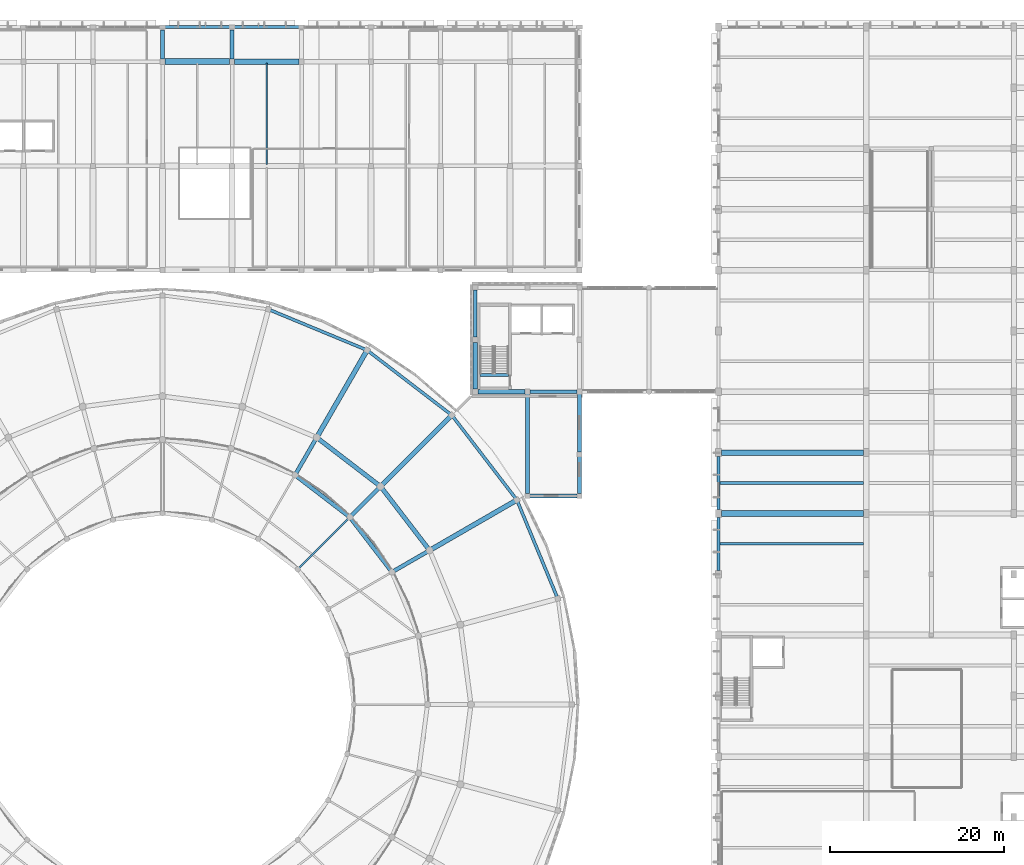
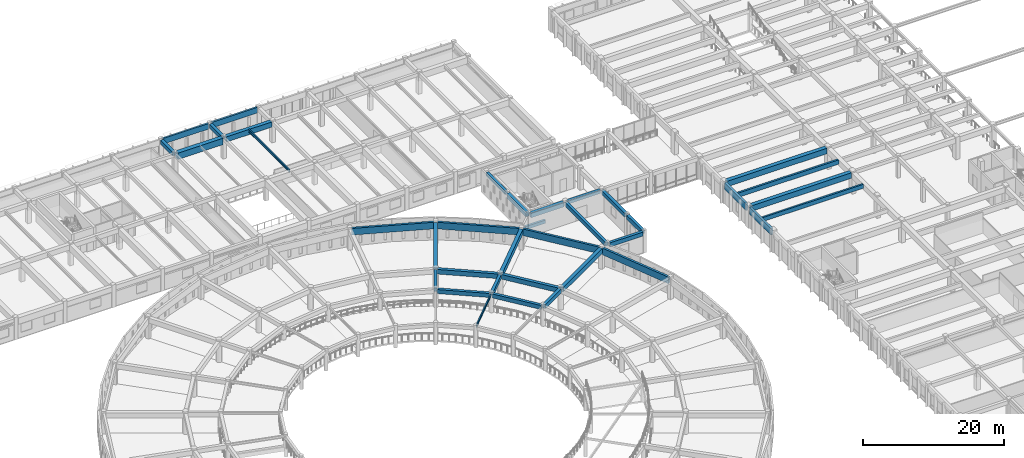
# One storey, part 19 of 98: 37 beams.
"""IFC4 building model written with IfcOpenShell, lengths in metres."""

from ifc_helpers import new_model, si_unit, direction, frame, origin, origin_2d, place, context, subcontext, project, spatial, rectangle, i_section, extrude, material, material_profile, profile_set, type_object, element, save


model = new_model("IFC4")

# Units and contexts
model_context = context("Model", 3, precision=1e-05, world=origin(), true_north=direction((0.0, 1.0)))
body_context = subcontext(model_context, "Body", "Model", "MODEL_VIEW")
ifc_project = project(units=[si_unit("LENGTHUNIT", "METRE"), si_unit("AREAUNIT", "SQUARE_METRE"), si_unit("VOLUMEUNIT", "CUBIC_METRE"), si_unit("PLANEANGLEUNIT", "RADIAN"), si_unit("MASSUNIT", "GRAM", prefix="KILO")], contexts=[model_context])

# Site, building, storey
site_placement = place(None, origin())
site = spatial("IfcSite", under=ifc_project, at=site_placement, CompositionType="ELEMENT")
building_placement = place(site_placement, origin())
building = spatial("IfcBuilding", under=site, at=building_placement, Name="Larkveld Mobility Hub", CompositionType="ELEMENT")
storey_placement = place(building_placement, frame((0.0, 0.0, 4.5)))
storey = spatial("IfcBuildingStorey", under=building, at=storey_placement, Name="L01", CompositionType="ELEMENT", Elevation=4.5)

# Beams
ifc_material_1 = material(Name="Precast concrete C50/60", Category="concrete")
ifc_material_profile_1 = material_profile(ifc_material_1, rectangle(XDim=0.300048828125, YDim=0.699951171875, at=origin_2d()), Name="PC DT 300x700")
ifc_profile_set_1 = profile_set([ifc_material_profile_1], Name="Precast concrete C50/60")
beam_type_1 = type_object("IfcBeamType", Name="BM-DT3070", PredefinedType="T_BEAM", material=ifc_profile_set_1)
beam_1_placement = place(storey_placement, frame((112.169921875, 66.5, 3.320068359375), z_axis=(1.0, 0.0, 0.0), x_axis=(0.0, 1.0, 0.0)))
element("IfcBeam", 1, at=beam_1_placement, inside=storey, type_object=beam_type_1, Name="Precast Double-Tee Stem L01-1057", PredefinedType="T_BEAM", context=body_context, shape_type="SweptSolid", body=[
    extrude(rectangle(XDim=0.300048828125, YDim=0.699951171875, at=origin_2d()), origin(), (0.0, 0.0, 1.0), 16.510009765625),
])
ifc_material_profile_2 = material_profile(ifc_material_1, rectangle(XDim=0.320068359375, YDim=0.75, at=origin_2d()), Name="PC DT 320x750")
ifc_profile_set_2 = profile_set([ifc_material_profile_2], Name="Precast concrete C50/60")
beam_type_2 = type_object("IfcBeamType", Name="BM-DT3275", PredefinedType="T_BEAM", material=ifc_profile_set_2)
beam_2_placement = place(storey_placement, frame((112.169921875, 73.5, 3.294921875), z_axis=(1.0, 0.0, 0.0), x_axis=(0.0, 1.0, 0.0)))
element("IfcBeam", 2, at=beam_2_placement, inside=storey, type_object=beam_type_2, Name="Precast Double-Tee Stem L01-1058", PredefinedType="T_BEAM", context=body_context, shape_type="SweptSolid", body=[
    extrude(rectangle(XDim=0.320068359375, YDim=0.75, at=origin_2d()), origin(), (0.0, 0.0, 1.0), 16.510009765625),
])
ifc_material_profile_3 = material_profile(ifc_material_1, rectangle(XDim=0.64990234375, YDim=0.949951171875, at=origin_2d()), Name="PC ITB 650x950")
ifc_profile_set_3 = profile_set([ifc_material_profile_3], Name="Precast concrete C50/60")
beam_type_3 = type_object("IfcBeamType", Name="BM-ITB6595", PredefinedType="T_BEAM", material=ifc_profile_set_3)
for number, where, z_axis, x_axis, name in (
    (3, (112.324951171875, 70.0, 3.18505859375), (1.0, 0.0, 0.0), (0.0, 1.0, 0.0), "Primary E-W Girder L01-0274"),
    (4, (112.324951171875, 77.0, 3.18505859375), (1.0, 0.0, 0.0), (0.0, 1.0, 0.0), "Primary E-W Girder L01-0278"),
):
    element("IfcBeam", number, at=place(storey_placement, frame(where, z_axis=z_axis, x_axis=x_axis)), inside=storey, type_object=beam_type_3, Name=name, PredefinedType="T_BEAM", context=body_context, shape_type="SweptSolid", body=[
        extrude(rectangle(XDim=0.64990234375, YDim=0.949951171875, at=origin_2d()), origin(), (0.0, 0.0, 1.0), 16.35009765625),
    ])
ifc_material_2 = material(Name="Concrete C40/50", Category="concrete")
ifc_material_profile_4 = material_profile(ifc_material_2, rectangle(XDim=0.35009765625, YDim=0.550048828125, at=origin_2d()), Name="RC BM 350x550")
ifc_profile_set_4 = profile_set([ifc_material_profile_4], Name="Concrete C40/50")
beam_type_4 = type_object("IfcBeamType", Name="BM-RC3555", PredefinedType="BEAM", material=ifc_profile_set_4)
beam_3_placement = place(storey_placement, frame((84.530029296875, 85.93994140625, -0.27001953125), z_axis=(1.0, 0.0, 0.0), x_axis=(0.0, 1.0, 0.0)))
element("IfcBeam", 5, at=beam_3_placement, inside=storey, type_object=beam_type_4, Name="Core C5 Stair Header Beam L01", PredefinedType="BEAM", context=body_context, shape_type="SweptSolid", body=[
    extrude(rectangle(XDim=0.35009765625, YDim=0.550048828125, at=origin_2d()), origin(), (0.0, 0.0, 1.0), 3.2900390625),
])
ifc_material_profile_5 = material_profile(ifc_material_2, rectangle(XDim=0.39990234375, YDim=0.60009765625, at=origin_2d()), Name="RC BM 400x600")
ifc_profile_set_5 = profile_set([ifc_material_profile_5], Name="Concrete C40/50")
beam_type_5 = type_object("IfcBeamType", Name="BM-RC4060", PredefinedType="BEAM", material=ifc_profile_set_5)
for number, where, z_axis, x_axis, name in (
    (6, (90.300048828125, 84.0, 3.360107421875), (1.0, 0.0, 0.0), (0.0, 1.0, 0.0), "Primary E-W Girder L01-0283"),
    (7, (84.0, 90.300048828125, 3.360107421875), (0.0, 1.0, 0.0), (-1.0, 0.0, 0.0), "Primary N-S Girder L01-0384"),
):
    element("IfcBeam", number, at=place(storey_placement, frame(where, z_axis=z_axis, x_axis=x_axis)), inside=storey, type_object=beam_type_5, Name=name, PredefinedType="BEAM", context=body_context, shape_type="SweptSolid", body=[
        extrude(rectangle(XDim=0.39990234375, YDim=0.60009765625, at=origin_2d()), origin(), (0.0, 0.0, 1.0), 5.39990234375),
    ])
ifc_material_profile_6 = material_profile(ifc_material_2, rectangle(XDim=0.449951171875, YDim=0.699951171875, at=origin_2d()), Name="RC BM 450x700")
ifc_profile_set_6 = profile_set([ifc_material_profile_6], Name="Concrete C40/50")
beam_type_6 = type_object("IfcBeamType", Name="BM-RC4570", PredefinedType="BEAM", material=ifc_profile_set_6)
for number, where, z_axis, x_axis, name in (
    (8, (48.0, 122.300048828125, 3.31005859375), (0.0, 1.0, 0.0), (-1.0, 0.0, 0.0), "Primary N-S Girder L01-0370"),
    (9, (56.0, 122.300048828125, 3.31005859375), (0.0, 1.0, 0.0), (-1.0, 0.0, 0.0), "Primary N-S Girder L01-0373"),
):
    element("IfcBeam", number, at=place(storey_placement, frame(where, z_axis=z_axis, x_axis=x_axis)), inside=storey, type_object=beam_type_6, Name=name, PredefinedType="BEAM", context=body_context, shape_type="SweptSolid", body=[
        extrude(rectangle(XDim=0.449951171875, YDim=0.699951171875, at=origin_2d()), origin(), (0.0, 0.0, 1.0), 3.375),
    ])
beam_4_placement = place(storey_placement, frame((90.27001953125, 72.0, 3.31005859375), z_axis=(1.0, 0.0, 0.0), x_axis=(0.0, 1.0, 0.0)))
element("IfcBeam", 10, at=beam_4_placement, inside=storey, type_object=beam_type_6, Name="Drum Link South Girder L01-0483", PredefinedType="BEAM", context=body_context, shape_type="SweptSolid", body=[
    extrude(rectangle(XDim=0.449951171875, YDim=0.699951171875, at=origin_2d()), origin(), (0.0, 0.0, 1.0), 5.4599609375),
])
beam_5_placement = place(storey_placement, frame((90.0, 72.27001953125, 3.31005859375), z_axis=(0.0, 1.0, 0.0), x_axis=(-1.0, 0.0, 0.0)))
element("IfcBeam", 11, at=beam_5_placement, inside=storey, type_object=beam_type_6, Name="Drum Link Spine Girder L01-0483", PredefinedType="BEAM", context=body_context, shape_type="SweptSolid", body=[
    extrude(rectangle(XDim=0.449951171875, YDim=0.699951171875, at=origin_2d()), origin(), (0.0, 0.0, 1.0), 11.4599609375),
])
beam_6_placement = place(storey_placement, frame((96.0, 72.27001953125, 3.31005859375), z_axis=(0.0, 1.0, 0.0), x_axis=(-1.0, 0.0, 0.0)))
element("IfcBeam", 12, at=beam_6_placement, inside=storey, type_object=beam_type_6, Name="Drum Link East Girder L01-0483", PredefinedType="BEAM", context=body_context, shape_type="SweptSolid", body=[
    extrude(rectangle(XDim=0.449951171875, YDim=0.699951171875, at=origin_2d()), origin(), (0.0, 0.0, 1.0), 4.260009765625),
])
beam_7_placement = place(storey_placement, frame((96.0, 77.070068359375, 3.31005859375), z_axis=(0.0, 1.0, 0.0), x_axis=(-1.0, 0.0, 0.0)))
element("IfcBeam", 13, at=beam_7_placement, inside=storey, type_object=beam_type_6, Name="Drum Link East Girder L01-0483", PredefinedType="BEAM", context=body_context, shape_type="SweptSolid", body=[
    extrude(rectangle(XDim=0.449951171875, YDim=0.699951171875, at=origin_2d()), origin(), (0.0, 0.0, 1.0), 6.659912109375),
])
beam_8_placement = place(storey_placement, frame((74.6220703125, 63.3701171875, 3.284912109375), z_axis=(0.86601375827, 0.50002017008, 0.0), x_axis=(-0.50002017008, 0.86601375827, 0.0)))
element("IfcBeam", 14, at=beam_8_placement, inside=storey, type_object=beam_type_6, Name="Drum Radial Girder L01-1391", PredefinedType="BEAM", context=body_context, shape_type="SweptSolid", body=[
    extrude(rectangle(XDim=0.449951171875, YDim=0.699951171875, at=origin_2d()), origin(), (0.0, 0.0, 1.0), 4.519287109375),
])
beam_9_placement = place(storey_placement, frame((69.737060546875, 69.737060546875, 3.284912109375), z_axis=(0.707106781187, 0.707106781187, 0.0), x_axis=(-0.707106781187, 0.707106781187, 0.0)))
element("IfcBeam", 15, at=beam_9_placement, inside=storey, type_object=beam_type_6, Name="Drum Radial Girder L01-1394", PredefinedType="BEAM", context=body_context, shape_type="SweptSolid", body=[
    extrude(rectangle(XDim=0.449951171875, YDim=0.699951171875, at=origin_2d()), origin(), (0.0, 0.0, 1.0), 4.51806640625),
])
beam_10_placement = place(storey_placement, frame((63.3701171875, 74.6220703125, 3.284912109375), z_axis=(0.50002017008, 0.86601375827, 0.0), x_axis=(-0.86601375827, 0.50002017008, 0.0)))
element("IfcBeam", 16, at=beam_10_placement, inside=storey, type_object=beam_type_6, Name="Drum Radial Girder L01-1397", PredefinedType="BEAM", context=body_context, shape_type="SweptSolid", body=[
    extrude(rectangle(XDim=0.449951171875, YDim=0.699951171875, at=origin_2d()), origin(), (0.0, 0.0, 1.0), 4.519287109375),
])
for number, where, z_axis, x_axis, name in (
    (17, (74.26806640625, 63.43994140625, 3.284912109375), (-0.608723281143, 0.793382610721, 0.0), (-0.793382610721, -0.608723281143, 0.0), "Drum Chord Ring Beam L01-1463"),
    (18, (69.376953125, 69.712890625, 3.284912109375), (-0.793382610721, 0.608723281143, 0.0), (-0.608723281143, -0.793382610721, 0.0), "Drum Chord Ring Beam L01-1467"),
):
    element("IfcBeam", number, at=place(storey_placement, frame(where, z_axis=z_axis, x_axis=x_axis)), inside=storey, type_object=beam_type_6, Name=name, PredefinedType="BEAM", context=body_context, shape_type="SweptSolid", body=[
        extrude(rectangle(XDim=0.449951171875, YDim=0.699951171875, at=origin_2d()), origin(), (0.0, 0.0, 1.0), 7.483154296875),
    ])
ifc_material_profile_7 = material_profile(ifc_material_2, rectangle(XDim=0.5, YDim=0.800048828125, at=origin_2d()), Name="RC BM 500x800")
ifc_profile_set_7 = profile_set([ifc_material_profile_7], Name="Concrete C40/50")
beam_type_7 = type_object("IfcBeamType", Name="BM-RC5080", PredefinedType="BEAM", material=ifc_profile_set_7)
for number, where, z_axis, x_axis, name in (
    (19, (84.300048828125, 84.0, 3.260009765625), (1.0, 0.0, 0.0), (0.0, 1.0, 0.0), "Primary E-W Girder L01-0282"),
    (20, (84.0, 84.300048828125, 3.260009765625), (0.0, 1.0, 0.0), (-1.0, 0.0, 0.0), "Primary N-S Girder L01-0383"),
):
    element("IfcBeam", number, at=place(storey_placement, frame(where, z_axis=z_axis, x_axis=x_axis)), inside=storey, type_object=beam_type_7, Name=name, PredefinedType="BEAM", context=body_context, shape_type="SweptSolid", body=[
        extrude(rectangle(XDim=0.5, YDim=0.800048828125, at=origin_2d()), origin(), (0.0, 0.0, 1.0), 5.39990234375),
    ])
for number, where, z_axis, x_axis, name in (
    (21, (78.597900390625, 65.93994140625, 3.235107421875), (-0.608755761591, 0.793357689021, 0.0), (-0.793357689021, -0.608755761591, 0.0), "Drum Chord Ring Beam L01-1464"),
    (22, (72.912109375, 73.248046875, 3.235107421875), (-0.793357689021, 0.608755761591, 0.0), (-0.608755761591, -0.793357689021, 0.0), "Drum Chord Ring Beam L01-1468"),
):
    element("IfcBeam", number, at=place(storey_placement, frame(where, z_axis=z_axis, x_axis=x_axis)), inside=storey, type_object=beam_type_7, Name=name, PredefinedType="BEAM", context=body_context, shape_type="SweptSolid", body=[
        extrude(rectangle(XDim=0.5, YDim=0.800048828125, at=origin_2d()), origin(), (0.0, 0.0, 1.0), 8.7880859375),
    ])
ifc_material_profile_8 = material_profile(ifc_material_2, rectangle(XDim=0.550048828125, YDim=0.85009765625, at=origin_2d()), Name="RC BM 550x850")
ifc_profile_set_8 = profile_set([ifc_material_profile_8], Name="Concrete C40/50")
beam_type_8 = type_object("IfcBeamType", Name="BM-RC5585", PredefinedType="BEAM", material=ifc_profile_set_8)
beam_11_placement = place(storey_placement, frame((78.951904296875, 65.8701171875, 3.2099609375), z_axis=(0.866030930781, 0.499990426839, 0.0), x_axis=(-0.499990426839, 0.866030930781, 0.0)))
element("IfcBeam", 23, at=beam_11_placement, inside=storey, type_object=beam_type_8, Name="Drum Radial Girder L01-1392", PredefinedType="BEAM", context=body_context, shape_type="SweptSolid", body=[
    extrude(rectangle(XDim=0.550048828125, YDim=0.85009765625, at=origin_2d()), origin(), (0.0, 0.0, 1.0), 11.119873046875),
])
beam_12_placement = place(storey_placement, frame((73.27197265625, 73.27197265625, 3.2099609375), z_axis=(0.707106781187, 0.707106781187, 0.0), x_axis=(-0.707106781187, 0.707106781187, 0.0)))
element("IfcBeam", 24, at=beam_12_placement, inside=storey, type_object=beam_type_8, Name="Drum Radial Girder L01-1395", PredefinedType="BEAM", context=body_context, shape_type="SweptSolid", body=[
    extrude(rectangle(XDim=0.550048828125, YDim=0.85009765625, at=origin_2d()), origin(), (0.0, 0.0, 1.0), 11.1201171875),
])
beam_13_placement = place(storey_placement, frame((65.8701171875, 78.951904296875, 3.2099609375), z_axis=(0.499990426839, 0.866030930781, 0.0), x_axis=(-0.866030930781, 0.499990426839, 0.0)))
element("IfcBeam", 25, at=beam_13_placement, inside=storey, type_object=beam_type_8, Name="Drum Radial Girder L01-1398", PredefinedType="BEAM", context=body_context, shape_type="SweptSolid", body=[
    extrude(rectangle(XDim=0.550048828125, YDim=0.85009765625, at=origin_2d()), origin(), (0.0, 0.0, 1.0), 11.119873046875),
])
ifc_material_profile_9 = material_profile(ifc_material_2, rectangle(XDim=0.60009765625, YDim=0.89990234375, at=origin_2d()), Name="RC BM 600x900")
ifc_profile_set_9 = profile_set([ifc_material_profile_9], Name="Concrete C40/50")
beam_type_9 = type_object("IfcBeamType", Name="BM-RC6090", PredefinedType="BEAM", material=ifc_profile_set_9)
beam_14_placement = place(storey_placement, frame((56.300048828125, 122.0, 3.2099609375), z_axis=(1.0, 0.0, 0.0), x_axis=(0.0, 1.0, 0.0)))
element("IfcBeam", 26, at=beam_14_placement, inside=storey, type_object=beam_type_9, Name="Primary E-W Girder L01-0335", PredefinedType="BEAM", context=body_context, shape_type="SweptSolid", body=[
    extrude(rectangle(XDim=0.60009765625, YDim=0.89990234375, at=origin_2d()), origin(), (0.0, 0.0, 1.0), 7.39990234375),
])
ifc_material_profile_10 = material_profile(ifc_material_2, rectangle(XDim=0.699951171875, YDim=1.10009765625, at=origin_2d()), Name="RC BM 700x1100")
ifc_profile_set_10 = profile_set([ifc_material_profile_10], Name="Concrete C40/50")
beam_type_10 = type_object("IfcBeamType", Name="BM-RC70110", PredefinedType="BEAM", material=ifc_profile_set_10)
beam_15_placement = place(storey_placement, frame((48.300048828125, 122.0, 3.110107421875), z_axis=(1.0, 0.0, 0.0), x_axis=(0.0, 1.0, 0.0)))
element("IfcBeam", 27, at=beam_15_placement, inside=storey, type_object=beam_type_10, Name="Primary E-W Girder L01-0334", PredefinedType="BEAM", context=body_context, shape_type="SweptSolid", body=[
    extrude(rectangle(XDim=0.699951171875, YDim=1.10009765625, at=origin_2d()), origin(), (0.0, 0.0, 1.0), 7.39990234375),
])
ifc_material_profile_11 = material_profile(ifc_material_1, rectangle(XDim=0.300048828125, YDim=0.97998046875, at=origin_2d()), Name="PC SP 300x980")
ifc_profile_set_11 = profile_set([ifc_material_profile_11], Name="Precast concrete C50/60")
beam_type_11 = type_object("IfcBeamType", Name="BM-SP3098", PredefinedType="SPANDREL", material=ifc_profile_set_11)
for number, where, z_axis, x_axis, name in (
    (28, (48.22509765625, 126.0, 3.169921875), (1.0, 0.0, 0.0), (0.0, 1.0, 0.0), "Primary E-W Girder L01-0344"),
    (29, (56.22509765625, 126.0, 3.169921875), (1.0, 0.0, 0.0), (0.0, 1.0, 0.0), "Primary E-W Girder L01-0345"),
):
    element("IfcBeam", number, at=place(storey_placement, frame(where, z_axis=z_axis, x_axis=x_axis)), inside=storey, type_object=beam_type_11, Name=name, PredefinedType="SPANDREL", context=body_context, shape_type="SweptSolid", body=[
        extrude(rectangle(XDim=0.300048828125, YDim=0.97998046875, at=origin_2d()), origin(), (0.0, 0.0, 1.0), 7.5498046875),
    ])
ifc_material_profile_12 = material_profile(ifc_material_1, rectangle(XDim=0.35009765625, YDim=1.14990234375, at=origin_2d()), Name="PC SP 350x1150")
ifc_profile_set_12 = profile_set([ifc_material_profile_12], Name="Precast concrete C50/60")
beam_type_12 = type_object("IfcBeamType", Name="BM-SP35115", PredefinedType="SPANDREL", material=ifc_profile_set_12)
for number, where, z_axis, x_axis, name in (
    (30, (112.0, 63.449951171875, 3.0849609375), (0.0, 1.0, 0.0), (-1.0, 0.0, 0.0), "Primary N-S Girder L01-0402"),
    (31, (112.0, 70.449951171875, 3.0849609375), (0.0, 1.0, 0.0), (-1.0, 0.0, 0.0), "Primary N-S Girder L01-0403"),
):
    element("IfcBeam", number, at=place(storey_placement, frame(where, z_axis=z_axis, x_axis=x_axis)), inside=storey, type_object=beam_type_12, Name=name, PredefinedType="SPANDREL", context=body_context, shape_type="SweptSolid", body=[
        extrude(rectangle(XDim=0.35009765625, YDim=1.14990234375, at=origin_2d()), origin(), (0.0, 0.0, 1.0), 6.10009765625),
    ])
beam_16_placement = place(storey_placement, frame((93.403076171875, 60.412109375, 3.06005859375), z_axis=(-0.38264987514, 0.923893431655, 0.0), x_axis=(-0.923893431655, -0.38264987514, 0.0)))
element("IfcBeam", 32, at=beam_16_placement, inside=storey, type_object=beam_type_12, Name="Drum Chord Ring Beam L01-1461", PredefinedType="SPANDREL", context=body_context, shape_type="SweptSolid", body=[
    extrude(rectangle(XDim=0.35009765625, YDim=1.14990234375, at=origin_2d()), origin(), (0.0, 0.0, 1.0), 11.81494140625),
])
for number, where, z_axis, x_axis, name in (
    (33, (88.64404296875, 71.739990234375, 3.06005859375), (-0.608730786402, 0.79337685225, 0.0), (-0.79337685225, -0.608730786402, 0.0), "Drum Chord Ring Beam L01-1465"),
    (34, (81.114990234375, 81.450927734375, 3.06005859375), (-0.79337685225, 0.608730786402, 0.0), (-0.608730786402, -0.79337685225, 0.0), "Drum Chord Ring Beam L01-1469"),
):
    element("IfcBeam", number, at=place(storey_placement, frame(where, z_axis=z_axis, x_axis=x_axis)), inside=storey, type_object=beam_type_12, Name=name, PredefinedType="SPANDREL", context=body_context, shape_type="SweptSolid", body=[
        extrude(rectangle(XDim=0.35009765625, YDim=1.14990234375, at=origin_2d()), origin(), (0.0, 0.0, 1.0), 11.816650390625),
    ])
beam_17_placement = place(storey_placement, frame((71.327880859375, 88.882080078125, 3.06005859375), z_axis=(-0.923893431655, 0.38264987514, 0.0), x_axis=(-0.38264987514, -0.923893431655, 0.0)))
element("IfcBeam", 35, at=beam_17_placement, inside=storey, type_object=beam_type_12, Name="Drum Chord Ring Beam L01-1473", PredefinedType="SPANDREL", context=body_context, shape_type="SweptSolid", body=[
    extrude(rectangle(XDim=0.35009765625, YDim=1.14990234375, at=origin_2d()), origin(), (0.0, 0.0, 1.0), 11.81494140625),
])
ifc_material_3 = material(Name="Steel S355JR", Category="steel")
ifc_material_profile_13 = material_profile(ifc_material_3, i_section(OverallWidth=0.179931640625, OverallDepth=0.39990234375, WebThickness=0.008544921875, FlangeThickness=0.013427734375, FilletRadius=0.02099609375, at=origin_2d()), Name="IPE 400")
ifc_profile_set_13 = profile_set([ifc_material_profile_13], Name="Steel S355JR")
beam_type_13 = type_object("IfcBeamType", Name="BM-STIPE400", PredefinedType="BEAM", material=ifc_profile_set_13)
beam_18_placement = place(storey_placement, frame((63.72607421875, 63.72607421875, 3.43505859375), z_axis=(0.707106781187, 0.707106781187, 0.0), x_axis=(-0.707106781187, 0.707106781187, 0.0)))
element("IfcBeam", 36, at=beam_18_placement, inside=storey, type_object=beam_type_13, Name="Drum Radial Girder L01-1393", PredefinedType="BEAM", context=body_context, shape_type="SweptSolid", body=[
    extrude(i_section(OverallWidth=0.179931640625, OverallDepth=0.39990234375, WebThickness=0.008544921875, FlangeThickness=0.013427734375, FilletRadius=0.02099609375, at=origin_2d()), origin(), (0.0, 0.0, 1.0), 8.019775390625),
])
ifc_material_profile_14 = material_profile(ifc_material_3, i_section(OverallWidth=0.18994140625, OverallDepth=0.449951171875, WebThickness=0.009521484375, FlangeThickness=0.0146484375, FilletRadius=0.02099609375, at=origin_2d()), Name="IPE 450")
ifc_profile_set_14 = profile_set([ifc_material_profile_14], Name="Steel S355JR")
beam_type_14 = type_object("IfcBeamType", Name="BM-STIPE450", PredefinedType="BEAM", material=ifc_profile_set_14)
beam_19_placement = place(storey_placement, frame((60.0, 110.169921875, 3.445068359375), z_axis=(0.0, 1.0, 0.0), x_axis=(-1.0, 0.0, 0.0)))
element("IfcBeam", 37, at=beam_19_placement, inside=storey, type_object=beam_type_14, Name="Bicycle Hall Secondary Beam L01-1191", PredefinedType="BEAM", context=body_context, shape_type="SweptSolid", body=[
    extrude(i_section(OverallWidth=0.18994140625, OverallDepth=0.449951171875, WebThickness=0.009521484375, FlangeThickness=0.0146484375, FilletRadius=0.02099609375, at=origin_2d()), origin(), (0.0, 0.0, 1.0), 11.66015625),
])

save(model, "model.ifc")
